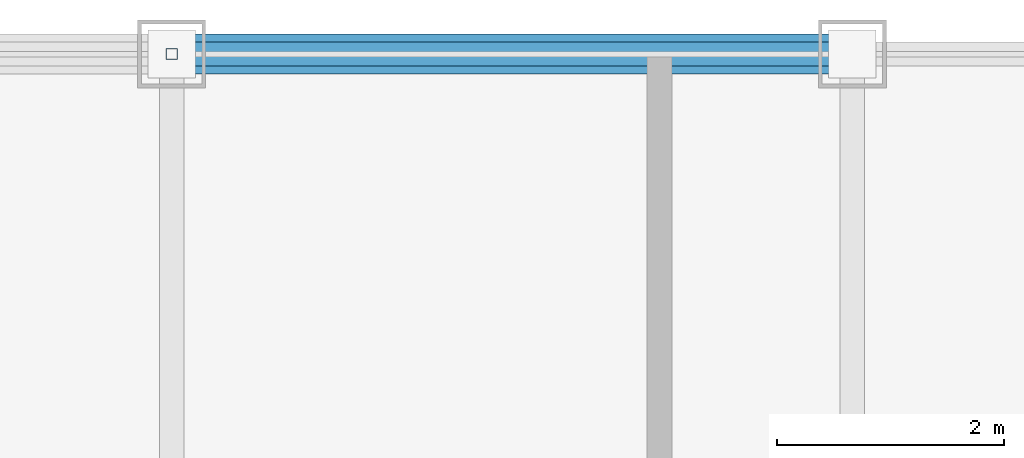
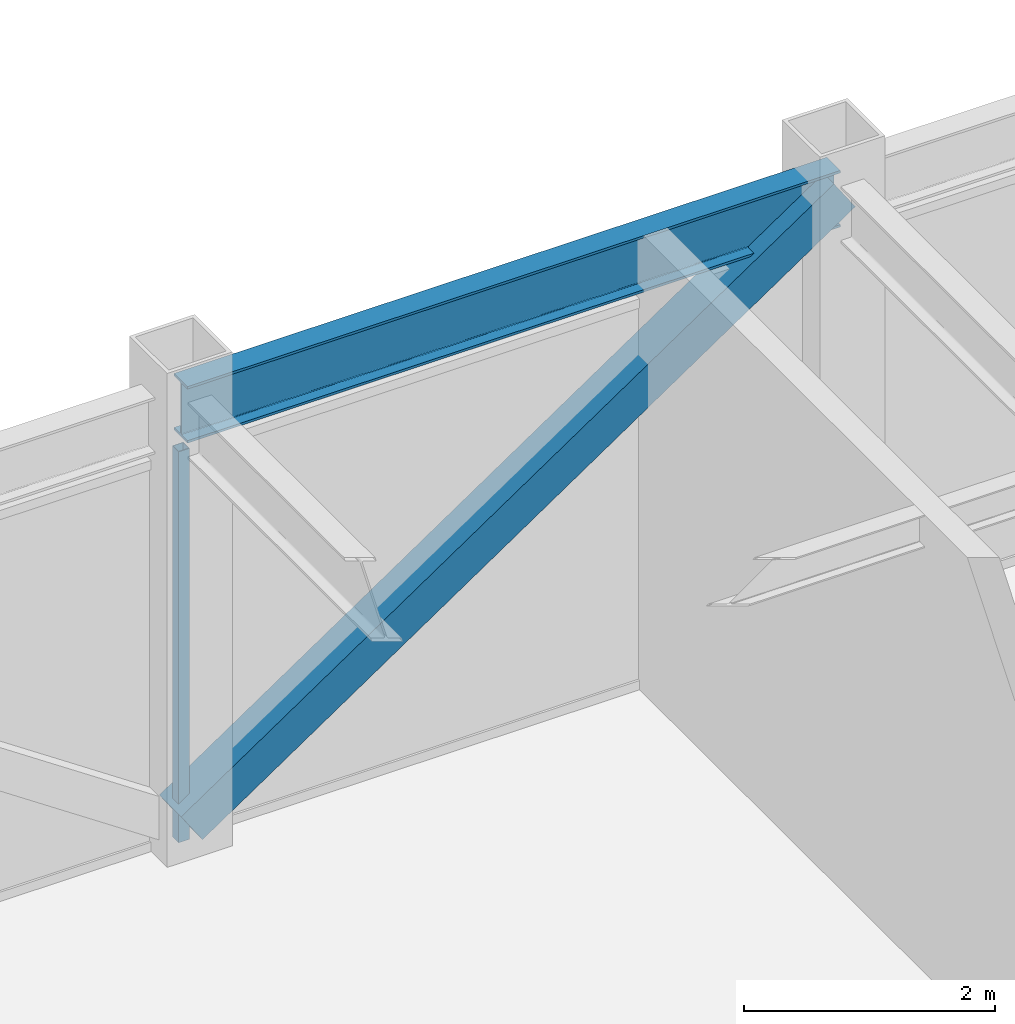
# One storey, part 18 of 27: 2 members, 1 beam, 1 element without a shape of its own.
"""IFC4 building model written with IfcOpenShell, lengths in metres."""

import ifcopenshell
import ifcopenshell.guid

model = None  # the IFC model being written
_history = None  # IfcOwnerHistory: only IFC2X3 demands one
_inside = {}  # id of a spatial element -> (the spatial element, [elements in it])
_under = {}  # id of a project, library or spatial element -> (it, [spatial elements below it])
_declared = {}  # id of a project -> (the project, [libraries it declares])
_typed = {}  # id of a type object -> (the type object, [elements of that type])
_made_of = {}  # id of a material, layer set ... -> (it, [elements and type objects made of it])


def new_model(schema):
    """Start an empty IFC model of exactly this schema.

    Asked for "IFC4X3", IfcOpenShell would pick the latest addendum, in which some entities
    have other attributes; the version numbers below select the first issue.
    IFC2X3 requires an IfcOwnerHistory on every rooted entity: one is made here for all.
    """
    global model, _history
    if schema == "IFC4X3":
        model = ifcopenshell.file(schema_version=(4, 3, 0, 0))
    else:
        model = ifcopenshell.file(schema=schema)
    _inside.clear()
    _under.clear()
    _declared.clear()
    _typed.clear()
    _made_of.clear()
    _history = None
    if model.schema == "IFC2X3":
        org = make("IfcOrganization", Name="unknown")
        user = make(
            "IfcPersonAndOrganization",
            ThePerson=make("IfcPerson", FamilyName="unknown"),
            TheOrganization=org,
        )
        app = make(
            "IfcApplication",
            ApplicationDeveloper=org,
            Version="unknown",
            ApplicationFullName="unknown",
            ApplicationIdentifier="unknown",
        )
        _history = make(
            "IfcOwnerHistory",
            OwningUser=user,
            OwningApplication=app,
            ChangeAction="ADDED",
            CreationDate=0,
        )
    return model


def make(cls, **values):
    """One entity of the class cls with the attributes given. An attribute that is None is left unset."""
    return model.create_entity(
        cls, **{name: value for name, value in values.items() if value is not None}
    )


def rooted(cls, **values):
    """An entity with a GlobalId (a new one), such as an element, a storey or a relation."""
    return make(cls, GlobalId=ifcopenshell.guid.new(), OwnerHistory=_history, **values)


def si_unit(unit_type, name, prefix=None):
    """IfcSIUnit, for example si_unit("LENGTHUNIT", "METRE", prefix="MILLI")."""
    return make("IfcSIUnit", UnitType=unit_type, Prefix=prefix, Name=name)


def assignment(units):
    """IfcUnitAssignment: the units of a project."""
    return None if units is None else make("IfcUnitAssignment", Units=units)


def point(xyz):
    """IfcCartesianPoint."""
    return None if xyz is None else make("IfcCartesianPoint", Coordinates=xyz)


def direction(xyz):
    """IfcDirection."""
    return None if xyz is None else make("IfcDirection", DirectionRatios=xyz)


def frame(location, z_axis=None, x_axis=None):
    """IfcAxis2Placement3D, a coordinate frame: its origin and axes. An axis left out is left unset."""
    return make(
        "IfcAxis2Placement3D",
        Location=point(location),
        Axis=direction(z_axis),
        RefDirection=direction(x_axis),
    )


def frame_2d(location, x_axis=None):
    """IfcAxis2Placement2D, a coordinate frame in the plane: its origin and x axis."""
    return make(
        "IfcAxis2Placement2D", Location=point(location), RefDirection=direction(x_axis)
    )


def origin():
    """The frame at (0, 0, 0) with its axes left unset."""
    return frame((0.0, 0.0, 0.0))


def origin_2d():
    """The frame at (0, 0) in the plane with its x axis left unset."""
    return frame_2d((0.0, 0.0))


def place(relative_to, where):
    """IfcLocalPlacement: puts the frame where relative to a parent placement (None: the world)."""
    return make(
        "IfcLocalPlacement", PlacementRelTo=relative_to, RelativePlacement=where
    )


def context(
    kind, dimensions, precision=None, world=None, true_north=None, identifier=None
):
    """IfcGeometricRepresentationContext, for example the 3D "Model" context."""
    return make(
        "IfcGeometricRepresentationContext",
        ContextIdentifier=identifier,
        ContextType=kind,
        CoordinateSpaceDimension=dimensions,
        Precision=precision,
        WorldCoordinateSystem=world,
        TrueNorth=true_north,
    )


def subcontext(parent, identifier, kind, view, scale=None):
    """IfcGeometricRepresentationSubContext, for example "Body" below "Model"."""
    return make(
        "IfcGeometricRepresentationSubContext",
        ContextIdentifier=identifier,
        ContextType=kind,
        ParentContext=parent,
        TargetScale=scale,
        TargetView=view,
    )


def project(units=None, contexts=None):
    """IfcProject with its units and contexts."""
    return rooted(
        "IfcProject",
        Name="project",
        RepresentationContexts=contexts,
        UnitsInContext=assignment(units),
    )


def spatial(cls, under=None, at=None, **own):
    """A site, building, storey or space (cls), placed at a placement, below another one or the project."""
    s = rooted(cls, ObjectPlacement=at, **own)
    if under is not None:
        _under.setdefault(under.id(), (under, []))[1].append(s)
    return s


def profile(cls, at=None, kind="AREA", **sizes):
    """A parametric profile (cls). Its sizes go by their IFC names, for example OverallWidth=200.0."""
    return make(cls, ProfileType=kind, Position=at, **sizes)


def hollow_rectangle(**sizes):
    """IfcRectangleHollowProfileDef."""
    return profile("IfcRectangleHollowProfileDef", **sizes)


def i_section(**sizes):
    """IfcIShapeProfileDef."""
    return profile("IfcIShapeProfileDef", **sizes)


def extrude(swept, where, along, depth):
    """IfcExtrudedAreaSolid: the profile swept, set in the frame where, extruded along a direction by depth."""
    return make(
        "IfcExtrudedAreaSolid",
        SweptArea=swept,
        Position=where,
        ExtrudedDirection=direction(along),
        Depth=depth,
    )


def shape(context_of_items, identifier, shape_type, items):
    """IfcShapeRepresentation: the items that make up one representation, for example the "Body"."""
    return make(
        "IfcShapeRepresentation",
        ContextOfItems=context_of_items,
        RepresentationIdentifier=identifier,
        RepresentationType=shape_type,
        Items=items,
    )


def source(mapping_origin, context_of_items, identifier, shape_type, items):
    """IfcRepresentationMap: a shape defined once, which mapped items show again and again."""
    return make(
        "IfcRepresentationMap",
        MappingOrigin=mapping_origin,
        MappedRepresentation=shape(context_of_items, identifier, shape_type, items),
    )


def transform(
    local_origin,
    x_axis=None,
    y_axis=None,
    z_axis=None,
    scale=None,
    scale2=None,
    scale3=None,
    uniform=True,
):
    """IfcCartesianTransformationOperator3D, or its non-uniform kind. x_axis, y_axis, z_axis: its Axis1, 2, 3."""
    if uniform:
        return make(
            "IfcCartesianTransformationOperator3D",
            Axis1=direction(x_axis),
            Axis2=direction(y_axis),
            LocalOrigin=point(local_origin),
            Scale=scale,
            Axis3=direction(z_axis),
        )
    return make(
        "IfcCartesianTransformationOperator3DnonUniform",
        Axis1=direction(x_axis),
        Axis2=direction(y_axis),
        LocalOrigin=point(local_origin),
        Scale=scale,
        Axis3=direction(z_axis),
        Scale2=scale2,
        Scale3=scale3,
    )


def mapped(mapping_source, mapping_target):
    """IfcMappedItem: shows the shape of a source again, moved by a transform."""
    return make(
        "IfcMappedItem", MappingSource=mapping_source, MappingTarget=mapping_target
    )


def material(Name=None, Category=None):
    """IfcMaterial."""
    return make("IfcMaterial", Name=Name, Category=Category)


def material_profile(
    of_material, cross_section, Name=None, Category=None, Priority=None
):
    """IfcMaterialProfile: a cross section and its material."""
    return make(
        "IfcMaterialProfile",
        Name=Name,
        Material=of_material,
        Profile=cross_section,
        Priority=Priority,
        Category=Category,
    )


def profile_set(profiles, Name=None, composite=None):
    """IfcMaterialProfileSet."""
    return make(
        "IfcMaterialProfileSet",
        Name=Name,
        MaterialProfiles=profiles,
        CompositeProfile=composite,
    )


def made_of(thing, what):
    """Note that an element or type object is made of a material, layer set ...; save() writes the relation."""
    if what is not None:
        _made_of.setdefault(what.id(), (what, []))[1].append(thing)
    return thing


def type_object(cls, material=None, **own):
    """A type object (cls), such as IfcWallType, which elements share."""
    return made_of(rooted(cls, **own), material)


def element(
    cls,
    number,
    at=None,
    inside=None,
    cuts=None,
    type_object=None,
    material=None,
    context=None,
    identifier="Body",
    shape_type=None,
    held_by="IfcProductDefinitionShape",
    body=None,
    shapes=None,
    **own,
):
    """One element of the class cls, such as IfcWall. Its Tag is "e" and its number.

    at: its placement. inside: the storey or other place that contains it. cuts: it is an
    opening in that element (IfcRelVoidsElement). A single representation is given by context,
    identifier, shape_type and body (its items); several are given by shapes. held_by: the class
    of the entity that holds the representations. save() writes the other relations.
    """
    e = rooted(cls, Tag="e%d" % number, ObjectPlacement=at, **own)
    if body is not None:
        shapes = [shape(context, identifier, shape_type, body)]
    if shapes is not None:
        e.Representation = make(held_by, Representations=shapes)
    if inside is not None:
        _inside.setdefault(inside.id(), (inside, []))[1].append(e)
    if cuts is not None:
        rooted(
            "IfcRelVoidsElement", RelatingBuildingElement=cuts, RelatedOpeningElement=e
        )
    if type_object is not None:
        _typed.setdefault(type_object.id(), (type_object, []))[1].append(e)
    return made_of(e, material)


def aggregate(whole, parts):
    """IfcRelAggregates: a whole, such as a stair, and the parts it consists of."""
    return rooted("IfcRelAggregates", RelatingObject=whole, RelatedObjects=parts)


def save(model, path):
    """Write the relations noted so far, then the file.

    IfcRelAggregates (storeys below a building ...), IfcRelContainedInSpatialStructure (elements
    in a storey), IfcRelDefinesByType, IfcRelAssociatesMaterial and IfcRelDeclares: one each for
    every whole, place, type object, material and project.
    """
    for whole, parts in _under.values():
        aggregate(whole, parts)
    for where, things in _inside.values():
        rooted(
            "IfcRelContainedInSpatialStructure",
            RelatedElements=things,
            RelatingStructure=where,
        )
    for kind, things in _typed.values():
        rooted("IfcRelDefinesByType", RelatedObjects=things, RelatingType=kind)
    for what, things in _made_of.values():
        rooted("IfcRelAssociatesMaterial", RelatedObjects=things, RelatingMaterial=what)
    for by, libraries in _declared.values():
        rooted("IfcRelDeclares", RelatingContext=by, RelatedDefinitions=libraries)
    model.write(path)


model = new_model("IFC4")

# Units and contexts
model_context = context("Model", 3, precision=1e-05, world=origin(), true_north=direction((0.0, 1.0)))
body_context = subcontext(model_context, "Body", "Model", "MODEL_VIEW")
ifc_project = project(units=[si_unit("LENGTHUNIT", "METRE"), si_unit("AREAUNIT", "SQUARE_METRE"), si_unit("VOLUMEUNIT", "CUBIC_METRE"), si_unit("PLANEANGLEUNIT", "RADIAN"), si_unit("MASSUNIT", "GRAM", prefix="KILO")], contexts=[model_context])

# Site, building, storey
site_placement = place(None, origin())
site = spatial("IfcSite", under=ifc_project, at=site_placement, CompositionType="ELEMENT")
building_placement = place(site_placement, origin())
building = spatial("IfcBuilding", under=site, at=building_placement, Name="Khorayat Bourse Tower", CompositionType="ELEMENT")
storey_placement = place(building_placement, frame((0.0, 0.0, 385.10009765625)))
storey = spatial("IfcBuildingStorey", under=building, at=storey_placement, Name="L91", CompositionType="ELEMENT", Elevation=385.10009765625)

# Beam
ifc_material_1 = material(Name="Steel ASTM A992 Grade 50", Category="steel")
ifc_material_profile_1 = material_profile(ifc_material_1, i_section(OverallWidth=0.214111328125, OverallDepth=0.549072265625, WebThickness=0.0146484375, FlangeThickness=0.023681640625, FilletRadius=0.013916015625, at=origin_2d()), Name="W530X138")
ifc_profile_set_1 = profile_set([ifc_material_profile_1], Name="Steel ASTM A992 Grade 50")
beam_type = type_object("IfcBeamType", Name="BM-SPAN-530", PredefinedType="SPANDREL", material=ifc_profile_set_1)
shared_shape_1 = source(origin(), body_context, "Body", "SweptSolid", [
    extrude(i_section(OverallWidth=0.214111328125, OverallDepth=0.549072265625, WebThickness=0.0146484375, FlangeThickness=0.023681640625, FilletRadius=0.013916015625, at=origin_2d()), origin(), (0.0, 0.0, 1.0), 6.0),
])
beam_placement = place(storey_placement, frame((0.0, 24.0, 4.17529296875), z_axis=(1.0, 0.0, 0.0), x_axis=(0.0, 1.0, 0.0)))
element("IfcBeam", 1, at=beam_placement, inside=storey, type_object=beam_type, Name="L91 BM-SPAN-530 BM-L91-SPN-042", PredefinedType="SPANDREL", context=body_context, shape_type="MappedRepresentation", body=[
    mapped(shared_shape_1, transform((0.0, 0.0, 0.0), scale=1.0)),
])

# Member
ifc_material_2 = material(Name="Steel EN 10025-2 S355J2", Category="steel")
ifc_material_profile_2 = material_profile(ifc_material_2, hollow_rectangle(XDim=0.35009765625, YDim=0.35009765625, WallThickness=0.02001953125, at=origin_2d()), Name="HSS 350x350x20")
ifc_profile_set_2 = profile_set([ifc_material_profile_2], Name="Steel EN 10025-2 S355J2")
member_type_1 = type_object("IfcMemberType", Name="MBR-CROWN-350", PredefinedType="USERDEFINED", material=ifc_profile_set_2)
shared_shape_2 = source(origin(), body_context, "Body", "SweptSolid", [
    extrude(hollow_rectangle(XDim=0.35009765625, YDim=0.35009765625, WallThickness=0.02001953125, at=origin_2d()), origin(), (0.0, 0.0, 1.0), 7.239013671875),
])
member_1_placement = place(storey_placement, frame((0.0, 24.0, 0.199951171875), z_axis=(0.828845546207, 0.0, 0.559477488852), x_axis=(0.0, 1.0, 0.0)))
element("IfcMember", 2, at=member_1_placement, inside=storey, type_object=member_type_1, Name="L91 Lantern Crown Frame Member 07", ObjectType="CROWN FRAME", PredefinedType="USERDEFINED", context=body_context, shape_type="MappedRepresentation", body=[
    mapped(shared_shape_2, transform((0.0, 0.0, 0.0), scale=1.0)),
])

# Curtain wall, member
ifc_material_3 = material(Name="Aluminium EN AW-6063 T6", Category="aluminium")
curtain_wall_type = type_object("IfcCurtainWallType", Name="CW-SYS-07", PredefinedType="NOTDEFINED", material=ifc_material_3)
curtain_wall_placement = place(storey_placement, origin())
curtain_wall = element("IfcCurtainWall", 3, at=curtain_wall_placement, inside=storey, type_object=curtain_wall_type, Name="L91 Curtain Wall CW-L91-N1", PredefinedType="NOTDEFINED")
ifc_material_profile_3 = material_profile(ifc_material_3, hollow_rectangle(XDim=0.10009765625, YDim=0.10009765625, WallThickness=0.0048828125, at=origin_2d()), Name="ALU 100x100x5")
ifc_profile_set_3 = profile_set([ifc_material_profile_3], Name="Aluminium EN AW-6063 T6")
member_type_2 = type_object("IfcMemberType", Name="CWM-LANTERN-100", PredefinedType="MULLION", material=ifc_profile_set_3)
shared_shape_3 = source(origin(), body_context, "Body", "SweptSolid", [
    extrude(hollow_rectangle(XDim=0.10009765625, YDim=0.10009765625, WallThickness=0.0048828125, at=origin_2d()), origin(), (0.0, 0.0, 1.0), 3.7998046875),
])
member_2_placement = place(storey_placement, frame((0.0, 24.0, 0.0), z_axis=(0.0, 0.0, 1.0), x_axis=(0.0, 1.0, 0.0)))
member_2 = element("IfcMember", 4, at=member_2_placement, type_object=member_type_2, Name="CW-L91-N1 Vertical Mullion 2", PredefinedType="MULLION", context=body_context, shape_type="MappedRepresentation", body=[
    mapped(shared_shape_3, transform((0.0, 0.0, 0.0), scale=1.0)),
])
aggregate(curtain_wall, [member_2])

save(model, "model.ifc")
